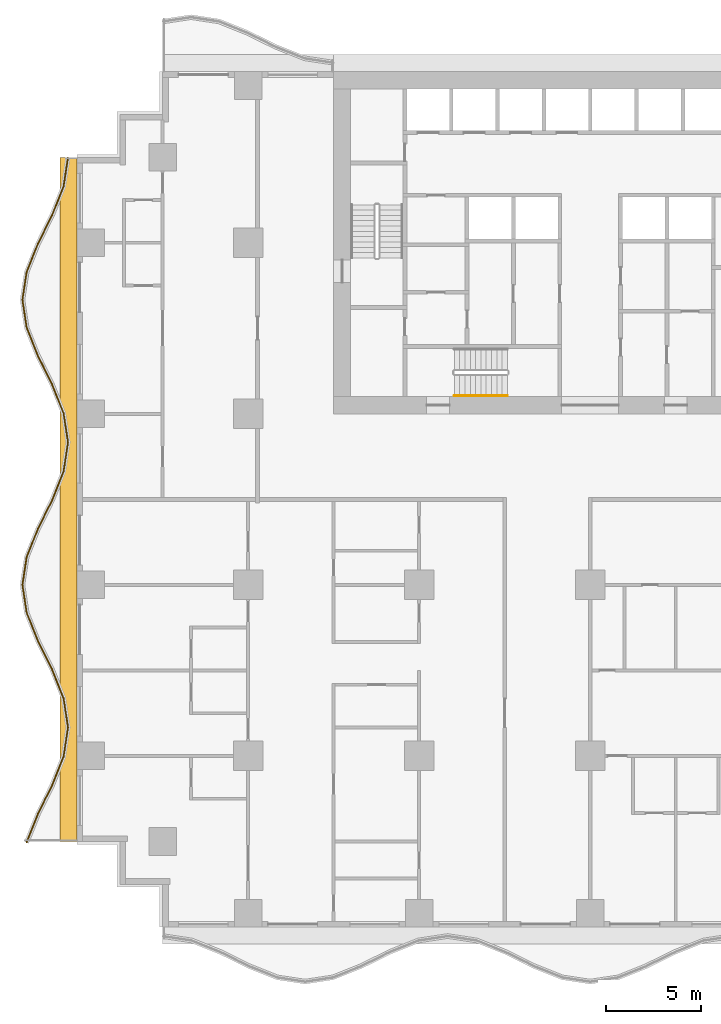
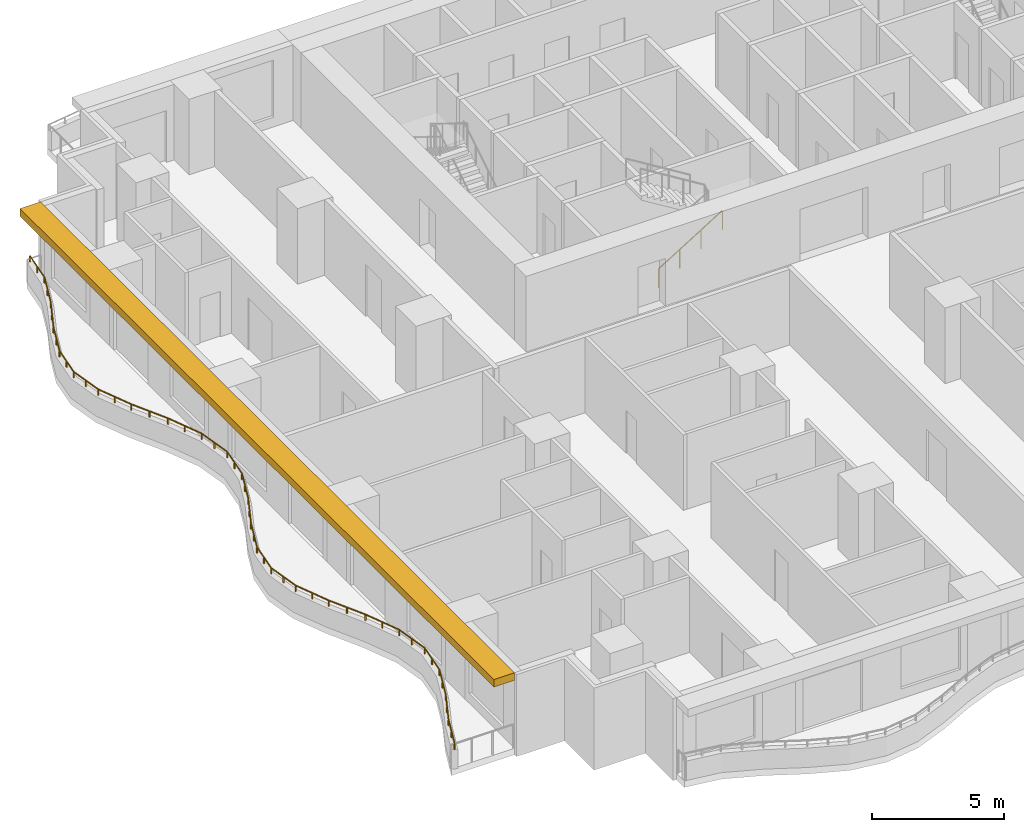
# One storey, part 9 of 14: 2 railings, 1 shading device.
"""IFC4 building model written with IfcOpenShell, lengths in metres."""

from ifc_helpers import new_model, si_unit, direction, frame, origin, origin_2d, place, context, subcontext, project, spatial, polyline, rectangle, circle, outline, extrude, material, layer, layer_set, type_object, element, save


model = new_model("IFC4")

# Units and contexts
model_context = context("Model", 3, precision=1e-05, world=origin(), true_north=direction((0.0, 1.0)))
body_context = subcontext(model_context, "Body", "Model", "MODEL_VIEW")
ifc_project = project(units=[si_unit("LENGTHUNIT", "METRE"), si_unit("AREAUNIT", "SQUARE_METRE"), si_unit("VOLUMEUNIT", "CUBIC_METRE"), si_unit("PLANEANGLEUNIT", "RADIAN"), si_unit("MASSUNIT", "GRAM", prefix="KILO")], contexts=[model_context])

# Site, building, storey
site_placement = place(None, origin())
site = spatial("IfcSite", under=ifc_project, at=site_placement, CompositionType="ELEMENT")
building_placement = place(site_placement, origin())
building = spatial("IfcBuilding", under=site, at=building_placement, Name="Orbiselva Terraces", CompositionType="ELEMENT")
storey_placement = place(building_placement, frame((0.0, 0.0, 37.8)))
storey = spatial("IfcBuildingStorey", under=building, at=storey_placement, Name="L09", CompositionType="ELEMENT", Elevation=37.8)

# Railings
ifc_material_1 = material(Name="Stainless steel", Category="steel")
railing_type_1 = type_object("IfcRailingType", Name="CORE-HANDRAIL-900", PredefinedType="HANDRAIL", material=ifc_material_1)
railing_1_placement = place(storey_placement, frame((-7.15, 5.45, 0.172727)))
element("IfcRailing", 1, at=railing_1_placement, inside=storey, type_object=railing_type_1, Name="L09 S3 stair handrail 1", PredefinedType="HANDRAIL", context=body_context, shape_type="SweptSolid", body=[
    extrude(circle(Radius=0.024, at=origin_2d()), frame((0.0, 0.0, 0.876), z_axis=(0.851088519012, 0.0, 0.52502222125), x_axis=(0.0, 1.0, 0.0)), (0.0, 0.0, 1.0), 3.289905),
    extrude(circle(Radius=0.021, at=origin_2d()), origin(), (0.0, 0.0, 1.0), 0.852),
    extrude(circle(Radius=0.021, at=origin_2d()), frame((0.933333, 0.0, 0.575758)), (0.0, 0.0, 1.0), 0.852),
    extrude(circle(Radius=0.021, at=origin_2d()), frame((1.866667, 0.0, 1.151515)), (0.0, 0.0, 1.0), 0.852),
    extrude(circle(Radius=0.021, at=origin_2d()), frame((2.8, 0.0, 1.727273)), (0.0, 0.0, 1.0), 0.852),
])
ifc_material_2 = material(Name="Bonded two-ply safety glass balustrade, stainless steel posts", Category="steel")
railing_type_2 = type_object("IfcRailingType", Name="ENV-BALUSTRADE-1200", PredefinedType="BALUSTRADE", material=ifc_material_2)
railing_2_placement = place(storey_placement, frame((-27.476434, 17.981121, 0.9)))
element("IfcRailing", 2, at=railing_2_placement, inside=storey, type_object=railing_type_2, Name="Balcony balustrade L09 W", PredefinedType="BALUSTRADE", context=body_context, shape_type="SweptSolid", body=[
    extrude(outline(polyline([(0.028868, 0.0), (0.014434, 0.025), (-0.014434, 0.025), (-0.028868, 0.0), (-0.014434, -0.025), (0.014434, -0.025), (0.028868, 0.0)])), frame((0.0, 0.0, 0.275), z_axis=(-0.151033869252, -0.988528588529, 0.0), x_axis=(0.988528588529, -0.151033869252, 0.0)), (0.0, 0.0, 1.0), 1.531776),
    extrude(outline(polyline([(0.028868, 0.0), (0.014434, 0.025), (-0.014434, 0.025), (-0.028868, 0.0), (-0.014434, -0.025), (0.014434, -0.025), (0.028868, 0.0)])), frame((-0.23135, -1.514204, 0.275), z_axis=(-0.371390359967, -0.92847681744, 0.0), x_axis=(0.92847681744, -0.371390359967, 0.0)), (0.0, 0.0, 1.0), 1.634838),
    extrude(outline(polyline([(0.028868, 0.0), (0.014434, 0.025), (-0.014434, 0.025), (-0.028868, 0.0), (-0.014434, -0.025), (0.014434, -0.025), (0.028868, 0.0)])), frame((-0.838513, -3.032113, 0.275), z_axis=(-0.443212307306, -0.896416672454, 0.0), x_axis=(0.896416672454, -0.443212307306, 0.0)), (0.0, 0.0, 1.0), 1.673329),
    extrude(outline(polyline([(0.028868, 0.0), (0.014434, 0.025), (-0.014434, 0.025), (-0.028868, 0.0), (-0.014434, -0.025), (0.014434, -0.025), (0.028868, 0.0)])), frame((-1.580153, -4.532113, 0.275), z_axis=(-0.371391000387, -0.928476561272, 0.0), x_axis=(0.928476561272, -0.371391000387, 0.0)), (0.0, 0.0, 1.0), 1.596261),
    extrude(outline(polyline([(0.028868, 0.0), (0.014434, 0.025), (-0.014434, 0.025), (-0.028868, 0.0), (-0.014434, -0.025), (0.014434, -0.025), (0.028868, 0.0)])), frame((-2.17299, -6.014204, 0.275), z_axis=(-0.151033749027, -0.988528606898, 0.0), x_axis=(0.988528606898, -0.151033749027, 0.0)), (0.0, 0.0, 1.0), 1.48394),
    extrude(outline(polyline([(0.028868, 0.0), (0.014434, 0.025), (-0.014434, 0.025), (-0.028868, 0.0), (-0.014434, -0.025), (0.014434, -0.025), (0.028868, 0.0)])), frame((-2.397115, -7.481121, 0.275), z_axis=(0.151033749027, -0.988528606898, 0.0), x_axis=(0.988528606898, 0.151033749027, 0.0)), (0.0, 0.0, 1.0), 1.48394),
    extrude(outline(polyline([(0.028868, 0.0), (0.014434, 0.025), (-0.014434, 0.025), (-0.028868, 0.0), (-0.014434, -0.025), (0.014434, -0.025), (0.028868, 0.0)])), frame((-2.17299, -8.948038, 0.275), z_axis=(0.371391000387, -0.928476561272, 0.0), x_axis=(0.928476561272, 0.371391000387, 0.0)), (0.0, 0.0, 1.0), 1.596261),
    extrude(outline(polyline([(0.028868, 0.0), (0.014434, 0.025), (-0.014434, 0.025), (-0.028868, 0.0), (-0.014434, -0.025), (0.014434, -0.025), (0.028868, 0.0)])), frame((-1.580153, -10.430129, 0.275), z_axis=(0.443212307306, -0.896416672454, 0.0), x_axis=(0.896416672454, 0.443212307306, 0.0)), (0.0, 0.0, 1.0), 1.673329),
    extrude(outline(polyline([(0.028868, 0.0), (0.014434, 0.025), (-0.014434, 0.025), (-0.028868, 0.0), (-0.014434, -0.025), (0.014434, -0.025), (0.028868, 0.0)])), frame((-0.838513, -11.930129, 0.275), z_axis=(0.371390359967, -0.92847681744, 0.0), x_axis=(0.92847681744, 0.371390359967, 0.0)), (0.0, 0.0, 1.0), 1.634838),
    extrude(outline(polyline([(0.028868, 0.0), (0.014434, 0.025), (-0.014434, 0.025), (-0.028868, 0.0), (-0.014434, -0.025), (0.014434, -0.025), (0.028868, 0.0)])), frame((-0.23135, -13.448038, 0.275), z_axis=(0.151034211256, -0.988528536275, 0.0), x_axis=(0.988528536275, 0.151034211256, 0.0)), (0.0, 0.0, 1.0), 1.550874),
    extrude(outline(polyline([(0.028868, 0.0), (0.014434, 0.025), (-0.014434, 0.025), (-0.028868, 0.0), (-0.014434, -0.025), (0.014434, -0.025), (0.028868, 0.0)])), frame((0.002885, -14.981121, 0.275), z_axis=(-0.151034211256, -0.988528536275, 0.0), x_axis=(0.988528536275, -0.151034211256, 0.0)), (0.0, 0.0, 1.0), 1.550874),
    extrude(outline(polyline([(0.028868, 0.0), (0.014434, 0.025), (-0.014434, 0.025), (-0.028868, 0.0), (-0.014434, -0.025), (0.014434, -0.025), (0.028868, 0.0)])), frame((-0.23135, -16.514204, 0.275), z_axis=(-0.371390359967, -0.92847681744, 0.0), x_axis=(0.92847681744, -0.371390359967, 0.0)), (0.0, 0.0, 1.0), 1.634838),
    extrude(outline(polyline([(0.028868, 0.0), (0.014434, 0.025), (-0.014434, 0.025), (-0.028868, 0.0), (-0.014434, -0.025), (0.014434, -0.025), (0.028868, 0.0)])), frame((-0.838513, -18.032113, 0.275), z_axis=(-0.443212307306, -0.896416672454, 0.0), x_axis=(0.896416672454, -0.443212307306, 0.0)), (0.0, 0.0, 1.0), 1.673329),
    extrude(outline(polyline([(0.028868, 0.0), (0.014434, 0.025), (-0.014434, 0.025), (-0.028868, 0.0), (-0.014434, -0.025), (0.014434, -0.025), (0.028868, 0.0)])), frame((-1.580153, -19.532113, 0.275), z_axis=(-0.371391000387, -0.928476561272, 0.0), x_axis=(0.928476561272, -0.371391000387, 0.0)), (0.0, 0.0, 1.0), 1.596261),
    extrude(outline(polyline([(0.028868, 0.0), (0.014434, 0.025), (-0.014434, 0.025), (-0.028868, 0.0), (-0.014434, -0.025), (0.014434, -0.025), (0.028868, 0.0)])), frame((-2.17299, -21.014204, 0.275), z_axis=(-0.151033749027, -0.988528606898, 0.0), x_axis=(0.988528606898, -0.151033749027, 0.0)), (0.0, 0.0, 1.0), 1.48394),
    extrude(outline(polyline([(0.028868, 0.0), (0.014434, 0.025), (-0.014434, 0.025), (-0.028868, 0.0), (-0.014434, -0.025), (0.014434, -0.025), (0.028868, 0.0)])), frame((-2.397115, -22.481121, 0.275), z_axis=(0.151033749027, -0.988528606898, 0.0), x_axis=(0.988528606898, 0.151033749027, 0.0)), (0.0, 0.0, 1.0), 1.48394),
    extrude(outline(polyline([(0.028868, 0.0), (0.014434, 0.025), (-0.014434, 0.025), (-0.028868, 0.0), (-0.014434, -0.025), (0.014434, -0.025), (0.028868, 0.0)])), frame((-2.17299, -23.948038, 0.275), z_axis=(0.371391000387, -0.928476561272, 0.0), x_axis=(0.928476561272, 0.371391000387, 0.0)), (0.0, 0.0, 1.0), 1.596261),
    extrude(outline(polyline([(0.028868, 0.0), (0.014434, 0.025), (-0.014434, 0.025), (-0.028868, 0.0), (-0.014434, -0.025), (0.014434, -0.025), (0.028868, 0.0)])), frame((-1.580153, -25.430129, 0.275), z_axis=(0.443212307306, -0.896416672454, 0.0), x_axis=(0.896416672454, 0.443212307306, 0.0)), (0.0, 0.0, 1.0), 1.673329),
    extrude(outline(polyline([(0.028868, 0.0), (0.014434, 0.025), (-0.014434, 0.025), (-0.028868, 0.0), (-0.014434, -0.025), (0.014434, -0.025), (0.028868, 0.0)])), frame((-0.838513, -26.930129, 0.275), z_axis=(0.371390359967, -0.92847681744, 0.0), x_axis=(0.92847681744, 0.371390359967, 0.0)), (0.0, 0.0, 1.0), 1.634838),
    extrude(outline(polyline([(0.028868, 0.0), (0.014434, 0.025), (-0.014434, 0.025), (-0.028868, 0.0), (-0.014434, -0.025), (0.014434, -0.025), (0.028868, 0.0)])), frame((-0.23135, -28.448038, 0.275), z_axis=(0.151034211256, -0.988528536275, 0.0), x_axis=(0.988528536275, 0.151034211256, 0.0)), (0.0, 0.0, 1.0), 1.550874),
    extrude(outline(polyline([(0.028868, 0.0), (0.014434, 0.025), (-0.014434, 0.025), (-0.028868, 0.0), (-0.014434, -0.025), (0.014434, -0.025), (0.028868, 0.0)])), frame((0.002885, -29.981121, 0.275), z_axis=(-0.151034211256, -0.988528536275, 0.0), x_axis=(0.988528536275, -0.151034211256, 0.0)), (0.0, 0.0, 1.0), 1.550874),
    extrude(outline(polyline([(0.028868, 0.0), (0.014434, 0.025), (-0.014434, 0.025), (-0.028868, 0.0), (-0.014434, -0.025), (0.014434, -0.025), (0.028868, 0.0)])), frame((-0.23135, -31.514204, 0.275), z_axis=(-0.371390359967, -0.92847681744, 0.0), x_axis=(0.92847681744, -0.371390359967, 0.0)), (0.0, 0.0, 1.0), 1.634838),
    extrude(outline(polyline([(0.028868, 0.0), (0.014434, 0.025), (-0.014434, 0.025), (-0.028868, 0.0), (-0.014434, -0.025), (0.014434, -0.025), (0.028868, 0.0)])), frame((-0.838513, -33.032113, 0.275), z_axis=(-0.443212307306, -0.896416672454, 0.0), x_axis=(0.896416672454, -0.443212307306, 0.0)), (0.0, 0.0, 1.0), 1.673329),
    extrude(outline(polyline([(0.028868, 0.0), (0.014434, 0.025), (-0.014434, 0.025), (-0.028868, 0.0), (-0.014434, -0.025), (0.014434, -0.025), (0.028868, 0.0)])), frame((-1.580153, -34.532113, 0.275), z_axis=(-0.371390783402, -0.928476648066, 0.0), x_axis=(0.928476648066, -0.371390783402, 0.0)), (0.0, 0.0, 1.0), 1.61063),
    extrude(rectangle(XDim=0.05, YDim=0.05, at=origin_2d()), origin(), (0.0, 0.0, 1.0), 0.25),
    extrude(rectangle(XDim=0.05, YDim=0.05, at=origin_2d()), frame((-0.115675, -0.757102, 0.0)), (0.0, 0.0, 1.0), 0.25),
    extrude(rectangle(XDim=0.05, YDim=0.05, at=origin_2d()), frame((-0.23135, -1.514204, 0.0)), (0.0, 0.0, 1.0), 0.25),
    extrude(rectangle(XDim=0.05, YDim=0.05, at=origin_2d()), frame((-0.534931, -2.273159, 0.0)), (0.0, 0.0, 1.0), 0.25),
    extrude(rectangle(XDim=0.05, YDim=0.05, at=origin_2d()), frame((-0.838513, -3.032113, 0.0)), (0.0, 0.0, 1.0), 0.25),
    extrude(rectangle(XDim=0.05, YDim=0.05, at=origin_2d()), frame((-1.209333, -3.782113, 0.0)), (0.0, 0.0, 1.0), 0.25),
    extrude(rectangle(XDim=0.05, YDim=0.05, at=origin_2d()), frame((-1.580153, -4.532113, 0.0)), (0.0, 0.0, 1.0), 0.25),
    extrude(rectangle(XDim=0.05, YDim=0.05, at=origin_2d()), frame((-1.876571, -5.273159, 0.0)), (0.0, 0.0, 1.0), 0.25),
    extrude(rectangle(XDim=0.05, YDim=0.05, at=origin_2d()), frame((-2.17299, -6.014204, 0.0)), (0.0, 0.0, 1.0), 0.25),
    extrude(rectangle(XDim=0.05, YDim=0.05, at=origin_2d()), frame((-2.285052, -6.747663, 0.0)), (0.0, 0.0, 1.0), 0.25),
    extrude(rectangle(XDim=0.05, YDim=0.05, at=origin_2d()), frame((-2.397115, -7.481121, 0.0)), (0.0, 0.0, 1.0), 0.25),
    extrude(rectangle(XDim=0.05, YDim=0.05, at=origin_2d()), frame((-2.285052, -8.21458, 0.0)), (0.0, 0.0, 1.0), 0.25),
    extrude(rectangle(XDim=0.05, YDim=0.05, at=origin_2d()), frame((-2.17299, -8.948038, 0.0)), (0.0, 0.0, 1.0), 0.25),
    extrude(rectangle(XDim=0.05, YDim=0.05, at=origin_2d()), frame((-1.876571, -9.689084, 0.0)), (0.0, 0.0, 1.0), 0.25),
    extrude(rectangle(XDim=0.05, YDim=0.05, at=origin_2d()), frame((-1.580153, -10.430129, 0.0)), (0.0, 0.0, 1.0), 0.25),
    extrude(rectangle(XDim=0.05, YDim=0.05, at=origin_2d()), frame((-1.209333, -11.180129, 0.0)), (0.0, 0.0, 1.0), 0.25),
    extrude(rectangle(XDim=0.05, YDim=0.05, at=origin_2d()), frame((-0.838513, -11.930129, 0.0)), (0.0, 0.0, 1.0), 0.25),
    extrude(rectangle(XDim=0.05, YDim=0.05, at=origin_2d()), frame((-0.534931, -12.689084, 0.0)), (0.0, 0.0, 1.0), 0.25),
    extrude(rectangle(XDim=0.05, YDim=0.05, at=origin_2d()), frame((-0.23135, -13.448038, 0.0)), (0.0, 0.0, 1.0), 0.25),
    extrude(rectangle(XDim=0.05, YDim=0.05, at=origin_2d()), frame((-0.114232, -14.21458, 0.0)), (0.0, 0.0, 1.0), 0.25),
    extrude(rectangle(XDim=0.05, YDim=0.05, at=origin_2d()), frame((0.002885, -14.981121, 0.0)), (0.0, 0.0, 1.0), 0.25),
    extrude(rectangle(XDim=0.05, YDim=0.05, at=origin_2d()), frame((-0.114232, -15.747663, 0.0)), (0.0, 0.0, 1.0), 0.25),
    extrude(rectangle(XDim=0.05, YDim=0.05, at=origin_2d()), frame((-0.23135, -16.514204, 0.0)), (0.0, 0.0, 1.0), 0.25),
    extrude(rectangle(XDim=0.05, YDim=0.05, at=origin_2d()), frame((-0.534931, -17.273158, 0.0)), (0.0, 0.0, 1.0), 0.25),
    extrude(rectangle(XDim=0.05, YDim=0.05, at=origin_2d()), frame((-0.838513, -18.032113, 0.0)), (0.0, 0.0, 1.0), 0.25),
    extrude(rectangle(XDim=0.05, YDim=0.05, at=origin_2d()), frame((-1.209333, -18.782113, 0.0)), (0.0, 0.0, 1.0), 0.25),
    extrude(rectangle(XDim=0.05, YDim=0.05, at=origin_2d()), frame((-1.580153, -19.532113, 0.0)), (0.0, 0.0, 1.0), 0.25),
    extrude(rectangle(XDim=0.05, YDim=0.05, at=origin_2d()), frame((-1.876571, -20.273158, 0.0)), (0.0, 0.0, 1.0), 0.25),
    extrude(rectangle(XDim=0.05, YDim=0.05, at=origin_2d()), frame((-2.17299, -21.014204, 0.0)), (0.0, 0.0, 1.0), 0.25),
    extrude(rectangle(XDim=0.05, YDim=0.05, at=origin_2d()), frame((-2.285052, -21.747663, 0.0)), (0.0, 0.0, 1.0), 0.25),
    extrude(rectangle(XDim=0.05, YDim=0.05, at=origin_2d()), frame((-2.397115, -22.481121, 0.0)), (0.0, 0.0, 1.0), 0.25),
    extrude(rectangle(XDim=0.05, YDim=0.05, at=origin_2d()), frame((-2.285052, -23.21458, 0.0)), (0.0, 0.0, 1.0), 0.25),
    extrude(rectangle(XDim=0.05, YDim=0.05, at=origin_2d()), frame((-2.17299, -23.948038, 0.0)), (0.0, 0.0, 1.0), 0.25),
    extrude(rectangle(XDim=0.05, YDim=0.05, at=origin_2d()), frame((-1.876571, -24.689084, 0.0)), (0.0, 0.0, 1.0), 0.25),
    extrude(rectangle(XDim=0.05, YDim=0.05, at=origin_2d()), frame((-1.580153, -25.430129, 0.0)), (0.0, 0.0, 1.0), 0.25),
    extrude(rectangle(XDim=0.05, YDim=0.05, at=origin_2d()), frame((-1.209333, -26.180129, 0.0)), (0.0, 0.0, 1.0), 0.25),
    extrude(rectangle(XDim=0.05, YDim=0.05, at=origin_2d()), frame((-0.838513, -26.930129, 0.0)), (0.0, 0.0, 1.0), 0.25),
    extrude(rectangle(XDim=0.05, YDim=0.05, at=origin_2d()), frame((-0.534931, -27.689084, 0.0)), (0.0, 0.0, 1.0), 0.25),
    extrude(rectangle(XDim=0.05, YDim=0.05, at=origin_2d()), frame((-0.23135, -28.448038, 0.0)), (0.0, 0.0, 1.0), 0.25),
    extrude(rectangle(XDim=0.05, YDim=0.05, at=origin_2d()), frame((-0.114232, -29.21458, 0.0)), (0.0, 0.0, 1.0), 0.25),
    extrude(rectangle(XDim=0.05, YDim=0.05, at=origin_2d()), frame((0.002885, -29.981121, 0.0)), (0.0, 0.0, 1.0), 0.25),
    extrude(rectangle(XDim=0.05, YDim=0.05, at=origin_2d()), frame((-0.114232, -30.747662, 0.0)), (0.0, 0.0, 1.0), 0.25),
    extrude(rectangle(XDim=0.05, YDim=0.05, at=origin_2d()), frame((-0.23135, -31.514204, 0.0)), (0.0, 0.0, 1.0), 0.25),
    extrude(rectangle(XDim=0.05, YDim=0.05, at=origin_2d()), frame((-0.534931, -32.273158, 0.0)), (0.0, 0.0, 1.0), 0.25),
    extrude(rectangle(XDim=0.05, YDim=0.05, at=origin_2d()), frame((-0.838513, -33.032113, 0.0)), (0.0, 0.0, 1.0), 0.25),
    extrude(rectangle(XDim=0.05, YDim=0.05, at=origin_2d()), frame((-1.209333, -33.782113, 0.0)), (0.0, 0.0, 1.0), 0.25),
    extrude(rectangle(XDim=0.05, YDim=0.05, at=origin_2d()), frame((-1.580153, -34.532113, 0.0)), (0.0, 0.0, 1.0), 0.25),
    extrude(rectangle(XDim=0.05, YDim=0.05, at=origin_2d()), frame((-1.879239, -35.279829, 0.0)), (0.0, 0.0, 1.0), 0.25),
    extrude(rectangle(XDim=0.05, YDim=0.05, at=origin_2d()), frame((-2.178326, -36.027545, 0.0)), (0.0, 0.0, 1.0), 0.25),
])

# Shading device
ifc_material_3 = material(Name="Terracotta baguette sunshade", Category="masonry")
ifc_layer = layer(ifc_material_3, 0.35)
ifc_layer_set = layer_set([ifc_layer], Name="Terracotta baguette sunshade")
shading_device_type = type_object("IfcShadingDeviceType", Name="ENV-SUNSHADE-900x350", PredefinedType="USERDEFINED", material=ifc_layer_set)
shading_device_placement = place(storey_placement, frame((0.0, 0.0, 3.15)))
element("IfcShadingDevice", 3, at=shading_device_placement, inside=storey, type_object=shading_device_type, Name="Sunshade band L09 W", ObjectType="SUNSHADE", PredefinedType="USERDEFINED", context=body_context, shape_type="SweptSolid", body=[
    extrude(outline(polyline([(-27.9, 18.0), (-27.9, -18.0), (-27.0, -18.0), (-27.0, 18.0), (-27.9, 18.0)])), origin(), (0.0, 0.0, 1.0), 0.35),
])

save(model, "model.ifc")
